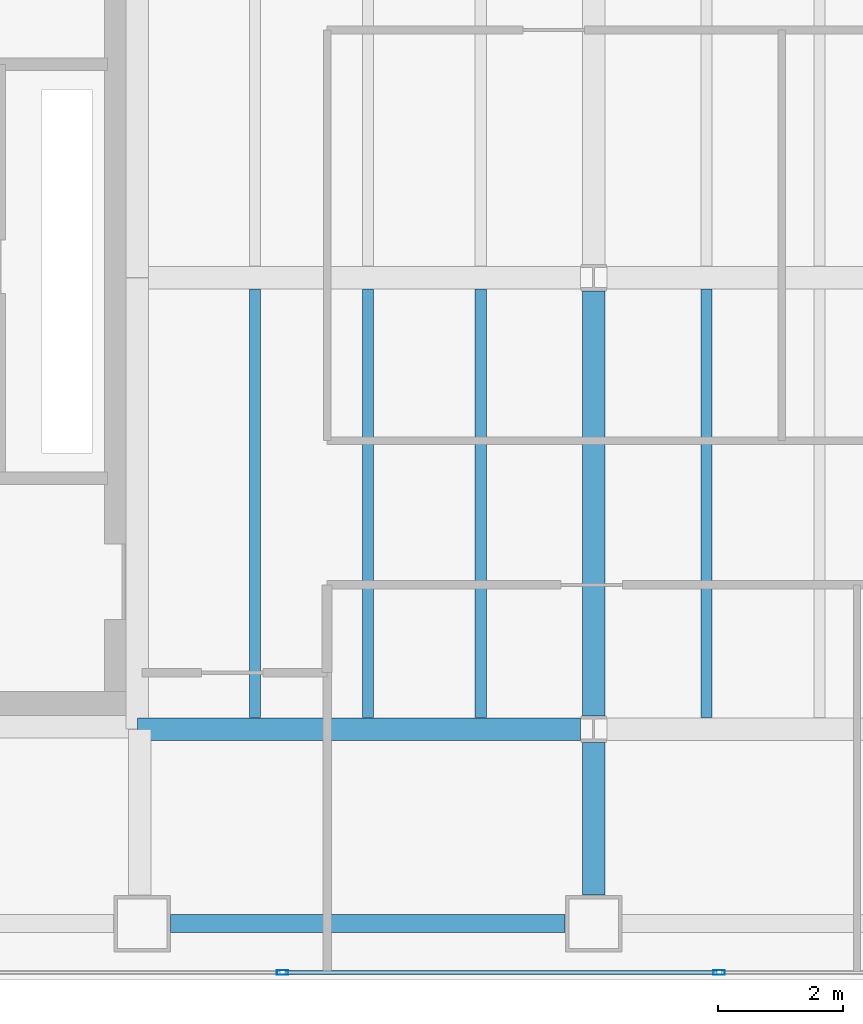
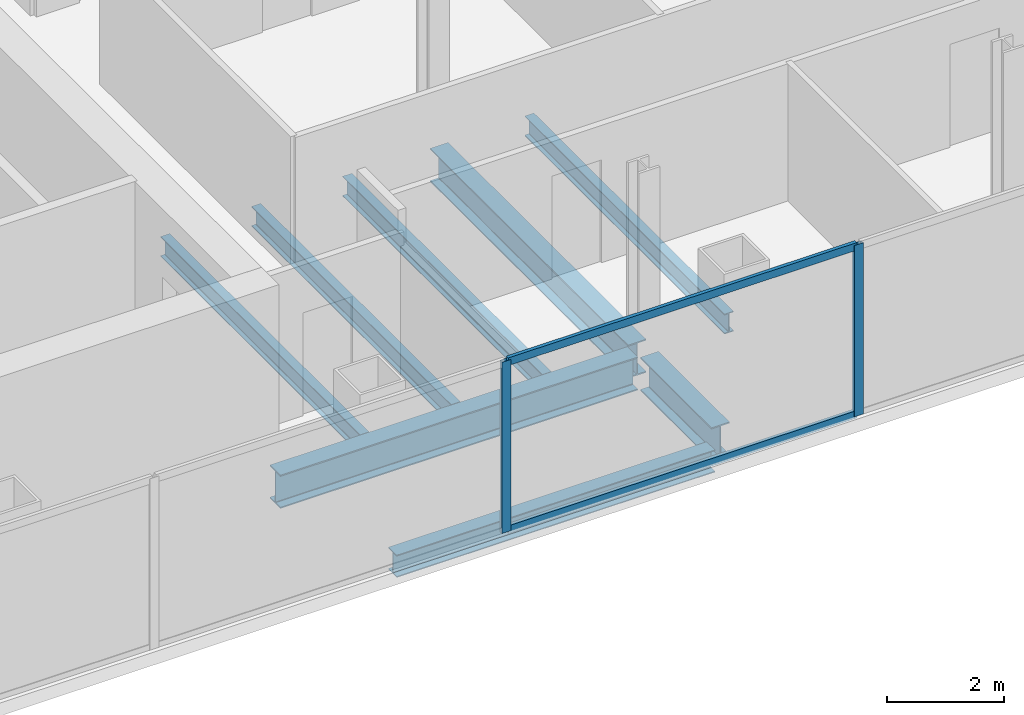
# One storey, part 4 of 23: 8 beams, 4 members, 1 element without a shape of its own.
"""IFC4 building model written with IfcOpenShell, lengths in metres."""

from ifc_helpers import new_model, si_unit, direction, frame, origin, origin_2d, place, context, subcontext, project, spatial, hollow_rectangle, i_section, extrude, material, material_profile, profile_set, type_object, element, aggregate, save


model = new_model("IFC4")

# Units and contexts
model_context = context("Model", 3, precision=1e-05, world=origin(), true_north=direction((0.0, 1.0)))
body_context = subcontext(model_context, "Body", "Model", "MODEL_VIEW")
ifc_project = project(units=[si_unit("LENGTHUNIT", "METRE"), si_unit("AREAUNIT", "SQUARE_METRE"), si_unit("VOLUMEUNIT", "CUBIC_METRE"), si_unit("PLANEANGLEUNIT", "RADIAN"), si_unit("MASSUNIT", "GRAM", prefix="KILO")], contexts=[model_context])

# Site, building, storey
site_placement = place(None, origin())
site = spatial("IfcSite", under=ifc_project, at=site_placement, CompositionType="ELEMENT")
building_placement = place(site_placement, origin())
building = spatial("IfcBuilding", under=site, at=building_placement, Name="Cobrela Telecom Tower", CompositionType="ELEMENT")
storey_placement = place(building_placement, frame((0.0, 0.0, 144.550048828125)))
storey = spatial("IfcBuildingStorey", under=building, at=storey_placement, Name="L36", CompositionType="ELEMENT", Elevation=144.550048828125)

# Beams
ifc_material_1 = material(Name="Steel ASTM A992 Grade 50", Category="steel")
ifc_material_profile_1 = material_profile(ifc_material_1, i_section(OverallWidth=0.35595703125, OverallDepth=0.696044921875, WebThickness=0.015380859375, FlangeThickness=0.024658203125, FilletRadius=0.01806640625, at=origin_2d()), Name="W27X146")
ifc_profile_set_1 = profile_set([ifc_material_profile_1], Name="Steel ASTM A992 Grade 50")
beam_type_1 = type_object("IfcBeamType", Name="BM-GIRD-05", PredefinedType="USERDEFINED", material=ifc_profile_set_1)
beam_1_placement = place(storey_placement, frame((14.324951171875, 7.199951171875, -0.6181640625), z_axis=(1.0, 0.0, 0.0), x_axis=(0.0, 1.0, 0.0)))
element("IfcBeam", 1, at=beam_1_placement, inside=storey, type_object=beam_type_1, Name="L36 Primary Girder X08", ObjectType="GIRDER", PredefinedType="USERDEFINED", context=body_context, shape_type="SweptSolid", body=[
    extrude(i_section(OverallWidth=0.35595703125, OverallDepth=0.696044921875, WebThickness=0.015380859375, FlangeThickness=0.024658203125, FilletRadius=0.01806640625, at=origin_2d()), origin(), (0.0, 0.0, 1.0), 7.0654296875),
])
beam_2_placement = place(storey_placement, frame((21.60009765625, 4.554931640625, -0.6181640625), z_axis=(0.0, 1.0, 0.0), x_axis=(-1.0, 0.0, 0.0)))
element("IfcBeam", 2, at=beam_2_placement, inside=storey, type_object=beam_type_1, Name="L36 Primary Girder Y39", ObjectType="GIRDER", PredefinedType="USERDEFINED", context=body_context, shape_type="SweptSolid", body=[
    extrude(i_section(OverallWidth=0.35595703125, OverallDepth=0.696044921875, WebThickness=0.015380859375, FlangeThickness=0.024658203125, FilletRadius=0.01806640625, at=origin_2d()), origin(), (0.0, 0.0, 1.0), 2.435546875),
])
beam_3_placement = place(storey_placement, frame((21.60009765625, 7.409423828125, -0.6181640625), z_axis=(0.0, 1.0, 0.0), x_axis=(-1.0, 0.0, 0.0)))
element("IfcBeam", 3, at=beam_3_placement, inside=storey, type_object=beam_type_1, Name="L36 Primary Girder Y40", ObjectType="GIRDER", PredefinedType="USERDEFINED", context=body_context, shape_type="SweptSolid", body=[
    extrude(i_section(OverallWidth=0.35595703125, OverallDepth=0.696044921875, WebThickness=0.015380859375, FlangeThickness=0.024658203125, FilletRadius=0.01806640625, at=origin_2d()), origin(), (0.0, 0.0, 1.0), 6.781005859375),
])
ifc_material_profile_2 = material_profile(ifc_material_1, i_section(OverallWidth=0.179931640625, OverallDepth=0.4169921875, WebThickness=0.010986328125, FlangeThickness=0.01806640625, FilletRadius=0.011962890625, at=origin_2d()), Name="W16X57")
ifc_profile_set_2 = profile_set([ifc_material_profile_2], Name="Steel ASTM A992 Grade 50")
beam_type_2 = type_object("IfcBeamType", Name="BM-JOIST-04", PredefinedType="JOIST", material=ifc_profile_set_2)
for number, where, z_axis, x_axis, name in (
    (4, (16.199951171875, 7.383056640625, -0.478515625), (0.0, 1.0, 0.0), (-1.0, 0.0, 0.0), "L36 Secondary Composite Floor Beam J04"),
    (5, (18.0, 7.383056640625, -0.478515625), (0.0, 1.0, 0.0), (-1.0, 0.0, 0.0), "L36 Secondary Composite Floor Beam J09"),
    (6, (19.800048828125, 7.383056640625, -0.478515625), (0.0, 1.0, 0.0), (-1.0, 0.0, 0.0), "L36 Secondary Composite Floor Beam J14"),
    (7, (23.39990234375, 7.383056640625, -0.478515625), (0.0, 1.0, 0.0), (-1.0, 0.0, 0.0), "L36 Secondary Composite Floor Beam J19"),
):
    element("IfcBeam", number, at=place(storey_placement, frame(where, z_axis=z_axis, x_axis=x_axis)), inside=storey, type_object=beam_type_2, Name=name, PredefinedType="JOIST", context=body_context, shape_type="SweptSolid", body=[
        extrude(i_section(OverallWidth=0.179931640625, OverallDepth=0.4169921875, WebThickness=0.010986328125, FlangeThickness=0.01806640625, FilletRadius=0.011962890625, at=origin_2d()), origin(), (0.0, 0.0, 1.0), 6.833984375),
    ])
ifc_material_profile_3 = material_profile(ifc_material_1, i_section(OverallWidth=0.281982421875, OverallDepth=0.467041015625, WebThickness=0.01220703125, FlangeThickness=0.01953125, FilletRadius=0.012939453125, at=origin_2d()), Name="W18X86")
ifc_profile_set_3 = profile_set([ifc_material_profile_3], Name="Steel ASTM A992 Grade 50")
beam_type_3 = type_object("IfcBeamType", Name="BM-SPAND-04", PredefinedType="SPANDREL", material=ifc_profile_set_3)
beam_4_placement = place(storey_placement, frame((14.85498046875, 4.10009765625, -0.503662109375), z_axis=(1.0, 0.0, 0.0), x_axis=(0.0, 1.0, 0.0)))
element("IfcBeam", 8, at=beam_4_placement, inside=storey, type_object=beam_type_3, Name="L36 Perimeter Spandrel X02", PredefinedType="SPANDREL", context=body_context, shape_type="SweptSolid", body=[
    extrude(i_section(OverallWidth=0.281982421875, OverallDepth=0.467041015625, WebThickness=0.01220703125, FlangeThickness=0.01953125, FilletRadius=0.012939453125, at=origin_2d()), origin(), (0.0, 0.0, 1.0), 6.2900390625),
])

# Curtain wall, members
ifc_material_2 = material(Name="Anodized Bronze Aluminium 6063-T6", Category="aluminium")
curtain_wall_type = type_object("IfcCurtainWallType", Name="CW-SYS-TEL", PredefinedType="USERDEFINED", material=ifc_material_2)
curtain_wall_placement = place(storey_placement, origin())
curtain_wall = element("IfcCurtainWall", 9, at=curtain_wall_placement, inside=storey, type_object=curtain_wall_type, Name="L36 Unitised Bronze Curtain Wall 17", ObjectType="UNITISED CURTAIN WALL", PredefinedType="USERDEFINED")
ifc_material_profile_4 = material_profile(ifc_material_2, hollow_rectangle(XDim=0.074951171875, YDim=0.179931640625, WallThickness=0.00390625, at=origin_2d()), Name="ALU 75x180x4")
ifc_profile_set_4 = profile_set([ifc_material_profile_4], Name="Anodized Bronze Aluminium 6063-T6")
member_type_1 = type_object("IfcMemberType", Name="CW-SYS-TEL-MUL", PredefinedType="MULLION", material=ifc_profile_set_4)
member_1_placement = place(storey_placement, frame((23.60009765625, 3.320068359375, 0.0), z_axis=(0.0, 0.0, 1.0), x_axis=(0.0, -1.0, 0.0)))
member_1 = element("IfcMember", 10, at=member_1_placement, type_object=member_type_1, Name="CW-TEL mullion 4", PredefinedType="MULLION", context=body_context, shape_type="SweptSolid", body=[
    extrude(hollow_rectangle(XDim=0.074951171875, YDim=0.179931640625, WallThickness=0.00390625, at=origin_2d()), origin(), (0.0, 0.0, 1.0), 3.579833984375),
])
member_2_placement = place(storey_placement, frame((16.63671875, 3.320068359375, 0.0), z_axis=(0.0, 0.0, 1.0), x_axis=(0.0, -1.0, 0.0)))
member_2 = element("IfcMember", 11, at=member_2_placement, type_object=member_type_1, Name="CW-TEL mullion 5", PredefinedType="MULLION", context=body_context, shape_type="SweptSolid", body=[
    extrude(hollow_rectangle(XDim=0.074951171875, YDim=0.179931640625, WallThickness=0.00390625, at=origin_2d()), origin(), (0.0, 0.0, 1.0), 3.579833984375),
])
ifc_material_profile_5 = material_profile(ifc_material_2, hollow_rectangle(XDim=0.070068359375, YDim=0.159912109375, WallThickness=0.00390625, at=origin_2d()), Name="ALU 70x160x4")
ifc_profile_set_5 = profile_set([ifc_material_profile_5], Name="Anodized Bronze Aluminium 6063-T6")
member_type_2 = type_object("IfcMemberType", Name="CW-SYS-TEL-TRN", PredefinedType="USERDEFINED", material=ifc_profile_set_5)
member_3_placement = place(storey_placement, frame((23.5625, 3.320068359375, 0.034912109375), z_axis=(-1.0, 0.0, 0.0), x_axis=(0.0, -1.0, 0.0)))
member_3 = element("IfcMember", 12, at=member_3_placement, type_object=member_type_2, Name="CW-TEL transom 4.1", ObjectType="TRANSOM", PredefinedType="USERDEFINED", context=body_context, shape_type="SweptSolid", body=[
    extrude(hollow_rectangle(XDim=0.070068359375, YDim=0.159912109375, WallThickness=0.00390625, at=origin_2d()), origin(), (0.0, 0.0, 1.0), 6.888427734375),
])
member_4_placement = place(storey_placement, frame((23.5625, 3.320068359375, 3.544921875), z_axis=(-1.0, 0.0, 0.0), x_axis=(0.0, -1.0, 0.0)))
member_4 = element("IfcMember", 13, at=member_4_placement, type_object=member_type_2, Name="CW-TEL transom 4.2", ObjectType="TRANSOM", PredefinedType="USERDEFINED", context=body_context, shape_type="SweptSolid", body=[
    extrude(hollow_rectangle(XDim=0.070068359375, YDim=0.159912109375, WallThickness=0.00390625, at=origin_2d()), origin(), (0.0, 0.0, 1.0), 6.888427734375),
])
aggregate(curtain_wall, [member_1, member_2, member_3, member_4])

save(model, "model.ifc")
